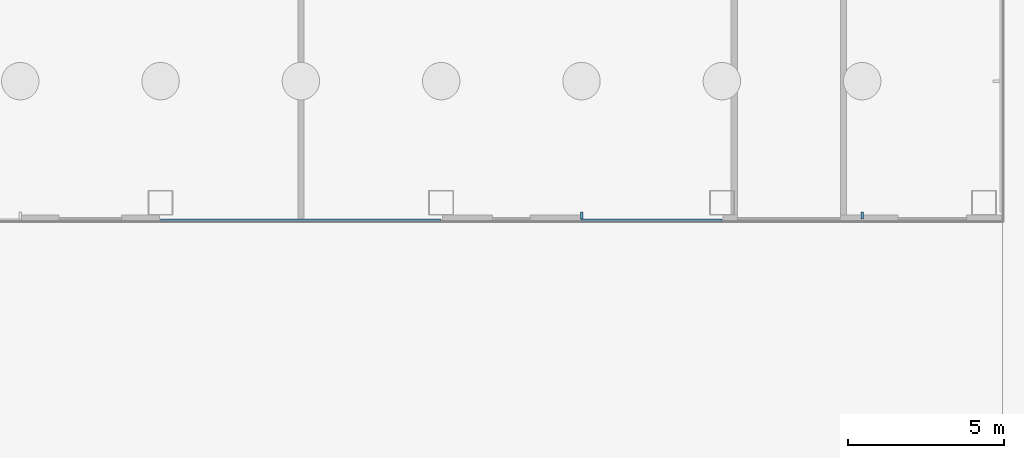
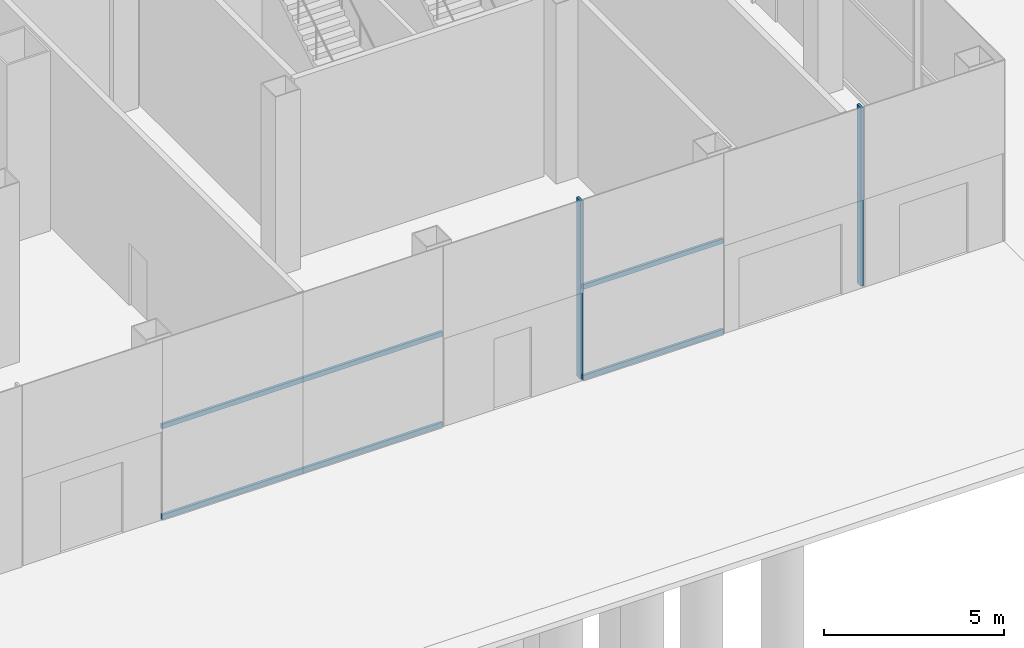
# One storey, part 11 of 37: 6 members, 1 element without a shape of its own.
"""IFC4 building model written with IfcOpenShell, lengths in metres."""

from ifc_helpers import new_model, si_unit, direction, frame, origin, origin_2d, place, context, subcontext, project, spatial, rectangle, extrude, material, layer, layer_set, material_profile, profile_set, type_object, element, aggregate, save


model = new_model("IFC4")

# Units and contexts
model_context = context("Model", 3, precision=1e-05, world=origin(), true_north=direction((0.0, 1.0)))
body_context = subcontext(model_context, "Body", "Model", "MODEL_VIEW")
ifc_project = project(units=[si_unit("LENGTHUNIT", "METRE"), si_unit("AREAUNIT", "SQUARE_METRE"), si_unit("VOLUMEUNIT", "CUBIC_METRE"), si_unit("PLANEANGLEUNIT", "RADIAN"), si_unit("MASSUNIT", "GRAM", prefix="KILO")], contexts=[model_context])

# Site, building, storey
site_placement = place(None, origin())
site = spatial("IfcSite", under=ifc_project, at=site_placement, CompositionType="ELEMENT")
building_placement = place(site_placement, origin())
building = spatial("IfcBuilding", under=site, at=building_placement, Name="Shamsa Quay Exchange Towers", CompositionType="ELEMENT")
storey_placement = place(building_placement, origin())
storey = spatial("IfcBuildingStorey", under=building, at=storey_placement, Name="L00", CompositionType="ELEMENT", Elevation=0.0)

# Curtain wall, members
ifc_material = material(Name="Aluminium EN AW-6063 T6, black anodised", Category="aluminium")
ifc_layer = layer(ifc_material, 0.33203125)
ifc_layer_set = layer_set([ifc_layer], Name="CW-3 PODIUM SHOPFRONT GLAZING")
curtain_wall_type = type_object("IfcCurtainWallType", Name="CW-3 PODIUM SHOPFRONT GLAZING", PredefinedType="NOTDEFINED", material=ifc_layer_set)
curtain_wall_placement = place(storey_placement, origin())
curtain_wall = element("IfcCurtainWall", 1, at=curtain_wall_placement, inside=storey, type_object=curtain_wall_type, Name="CW3 PODIUM-L00-F03", PredefinedType="NOTDEFINED")
ifc_material_profile_1 = material_profile(ifc_material, rectangle(XDim=0.219970703125, YDim=0.080078125, at=origin_2d()), Name="MU80x220")
ifc_profile_set_1 = profile_set([ifc_material_profile_1], Name="Aluminium EN AW-6063 T6, black anodised")
member_type_1 = type_object("IfcMemberType", Name="CW3 MULLION 80x220", PredefinedType="MULLION", material=ifc_profile_set_1)
member_1_placement = place(storey_placement, frame((49.5, -38.06005859375, 0.0), z_axis=(0.0, 0.0, 1.0), x_axis=(0.0, 1.0, 0.0)))
member_1 = element("IfcMember", 2, at=member_1_placement, type_object=member_type_1, Name="CW3 mullion", PredefinedType="MULLION", context=body_context, shape_type="SweptSolid", body=[
    extrude(rectangle(XDim=0.219970703125, YDim=0.080078125, at=origin_2d()), origin(), (0.0, 0.0, 1.0), 6.050048828125),
])
member_2_placement = place(storey_placement, frame((58.5, -38.06005859375, 0.0), z_axis=(0.0, 0.0, 1.0), x_axis=(0.0, 1.0, 0.0)))
member_2 = element("IfcMember", 3, at=member_2_placement, type_object=member_type_1, Name="CW3 mullion", PredefinedType="MULLION", context=body_context, shape_type="SweptSolid", body=[
    extrude(rectangle(XDim=0.219970703125, YDim=0.080078125, at=origin_2d()), origin(), (0.0, 0.0, 1.0), 6.050048828125),
])
ifc_material_profile_2 = material_profile(ifc_material, rectangle(XDim=0.080078125, YDim=0.159912109375, at=origin_2d()), Name="TR160x80")
ifc_profile_set_2 = profile_set([ifc_material_profile_2], Name="Aluminium EN AW-6063 T6, black anodised")
member_type_2 = type_object("IfcMemberType", Name="CW3 TRANSOM 160x80", PredefinedType="USERDEFINED", material=ifc_profile_set_2)
member_3_placement = place(storey_placement, frame((36.0, -38.2099609375, 0.080078125), z_axis=(1.0, 0.0, 0.0), x_axis=(0.0, 1.0, 0.0)))
member_3 = element("IfcMember", 4, at=member_3_placement, type_object=member_type_2, Name="CW3 transom", ObjectType="TRANSOM", PredefinedType="USERDEFINED", context=body_context, shape_type="SweptSolid", body=[
    extrude(rectangle(XDim=0.080078125, YDim=0.159912109375, at=origin_2d()), origin(), (0.0, 0.0, 1.0), 9.0),
])
member_4_placement = place(storey_placement, frame((36.0, -38.2099609375, 3.155029296875), z_axis=(1.0, 0.0, 0.0), x_axis=(0.0, 1.0, 0.0)))
member_4 = element("IfcMember", 5, at=member_4_placement, type_object=member_type_2, Name="CW3 transom", ObjectType="TRANSOM", PredefinedType="USERDEFINED", context=body_context, shape_type="SweptSolid", body=[
    extrude(rectangle(XDim=0.080078125, YDim=0.159912109375, at=origin_2d()), origin(), (0.0, 0.0, 1.0), 9.0),
])
member_5_placement = place(storey_placement, frame((49.5, -38.2099609375, 0.080078125), z_axis=(1.0, 0.0, 0.0), x_axis=(0.0, 1.0, 0.0)))
member_5 = element("IfcMember", 6, at=member_5_placement, type_object=member_type_2, Name="CW3 transom", ObjectType="TRANSOM", PredefinedType="USERDEFINED", context=body_context, shape_type="SweptSolid", body=[
    extrude(rectangle(XDim=0.080078125, YDim=0.159912109375, at=origin_2d()), origin(), (0.0, 0.0, 1.0), 4.5),
])
member_6_placement = place(storey_placement, frame((49.5, -38.2099609375, 3.155029296875), z_axis=(1.0, 0.0, 0.0), x_axis=(0.0, 1.0, 0.0)))
member_6 = element("IfcMember", 7, at=member_6_placement, type_object=member_type_2, Name="CW3 transom", ObjectType="TRANSOM", PredefinedType="USERDEFINED", context=body_context, shape_type="SweptSolid", body=[
    extrude(rectangle(XDim=0.080078125, YDim=0.159912109375, at=origin_2d()), origin(), (0.0, 0.0, 1.0), 4.5),
])
aggregate(curtain_wall, [member_3, member_4, member_5, member_6, member_1, member_2])

save(model, "model.ifc")
